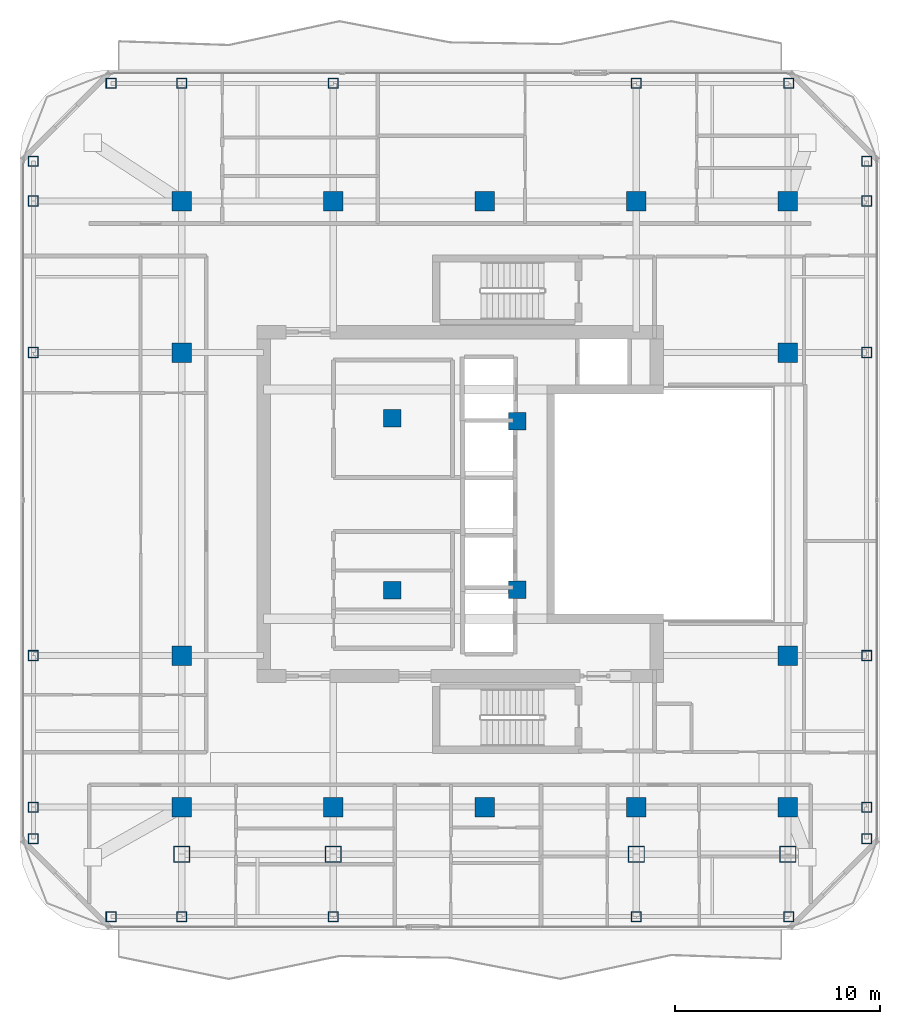
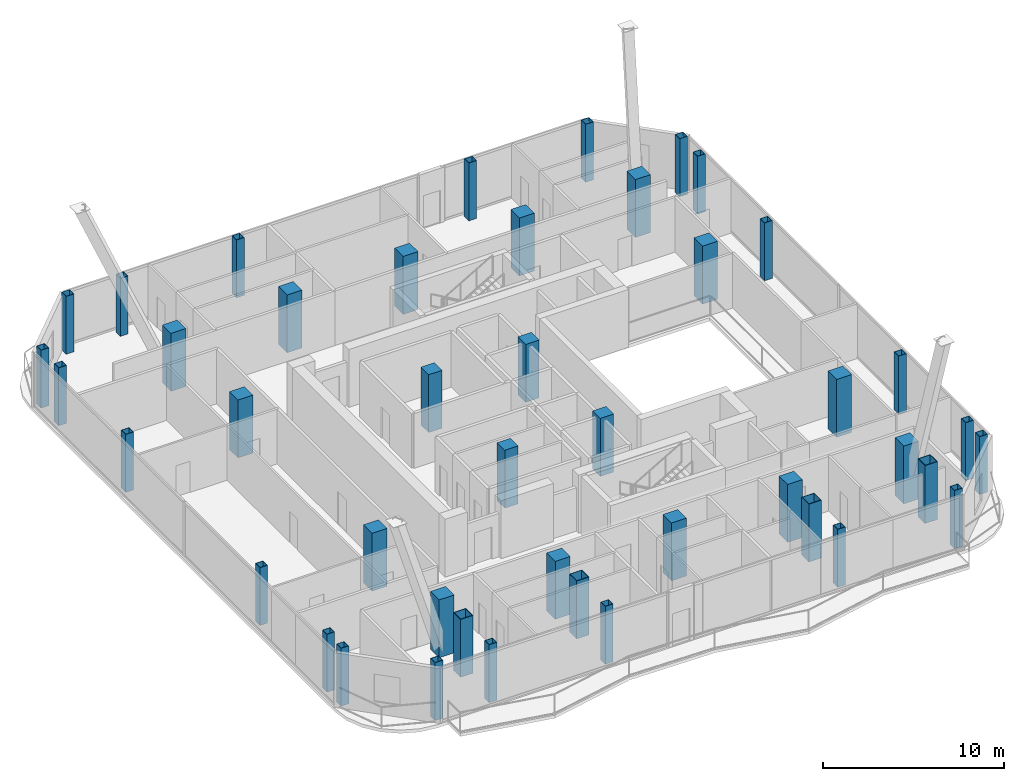
# One storey, part 1 of 24: 44 columns.
"""IFC4 building model written with IfcOpenShell, lengths in metres."""

from ifc_helpers import new_model, si_unit, direction, frame, origin, origin_2d, place, context, subcontext, project, spatial, rectangle, hollow_rectangle, extrude, material, material_profile, profile_set, type_object, element, save


model = new_model("IFC4")

# Units and contexts
model_context = context("Model", 3, precision=1e-05, world=origin(), true_north=direction((0.0, 1.0)))
body_context = subcontext(model_context, "Body", "Model", "MODEL_VIEW")
ifc_project = project(units=[si_unit("LENGTHUNIT", "METRE"), si_unit("AREAUNIT", "SQUARE_METRE"), si_unit("VOLUMEUNIT", "CUBIC_METRE"), si_unit("PLANEANGLEUNIT", "RADIAN"), si_unit("MASSUNIT", "GRAM", prefix="KILO")], contexts=[model_context])

# Site, building, storey
site_placement = place(None, origin())
site = spatial("IfcSite", under=ifc_project, at=site_placement, CompositionType="ELEMENT")
building_placement = place(site_placement, origin())
building = spatial("IfcBuilding", under=site, at=building_placement, Name="Khorvyn Point Tower", CompositionType="ELEMENT")
storey_placement = place(building_placement, frame((0.0, 0.0, 301.5)))
storey = spatial("IfcBuildingStorey", under=building, at=storey_placement, Name="L74", CompositionType="ELEMENT", Elevation=301.5)

# Columns
ifc_material_1 = material(Name="Concrete C40/50", Category="concrete")
ifc_material_profile_1 = material_profile(ifc_material_1, rectangle(XDim=0.85009765625, YDim=0.85009765625, at=origin_2d()))
ifc_profile_set_1 = profile_set([ifc_material_profile_1], Name="Concrete C40/50 RC850x850")
column_type_1 = type_object("IfcColumnType", Name="Concrete C40/50 Column RC850x850", PredefinedType="COLUMN", material=ifc_profile_set_1)
for number, where, z_axis, x_axis, name in (
    (1, (-4.52001953125, -4.199951171875, 0.0), (0.0, 0.0, 1.0), (1.0, 0.0, 0.0), "L74 Crown Core Spine Column 1"),
    (2, (1.580078125, -4.179931640625, 0.0), (0.0, 0.0, 1.0), (1.0, 0.0, 0.0), "L74 Crown Core Spine Column 2"),
    (3, (1.580078125, 4.050048828125, 0.0), (0.0, 0.0, 1.0), (1.0, 0.0, 0.0), "L74 Crown Core Spine Column 3"),
    (4, (-4.52001953125, 4.199951171875, 0.0), (0.0, 0.0, 1.0), (1.0, 0.0, 0.0), "L74 Crown Core Spine Column 4"),
):
    element("IfcColumn", number, at=place(storey_placement, frame(where, z_axis=z_axis, x_axis=x_axis)), inside=storey, type_object=column_type_1, Name=name, PredefinedType="COLUMN", context=body_context, shape_type="SweptSolid", body=[
        extrude(rectangle(XDim=0.85009765625, YDim=0.85009765625, at=origin_2d()), origin(), (0.0, 0.0, 1.0), 3.89990234375),
    ])
ifc_material_profile_2 = material_profile(ifc_material_1, rectangle(XDim=0.949951171875, YDim=0.949951171875, at=origin_2d()))
ifc_profile_set_2 = profile_set([ifc_material_profile_2], Name="Concrete C40/50 RC950x950")
column_type_2 = type_object("IfcColumnType", Name="Concrete C40/50 Column RC950x950", PredefinedType="COLUMN", material=ifc_profile_set_2)
for number, where, z_axis, x_axis, name in (
    (5, (-14.800048828125, -14.800048828125, 0.0), (0.0, 0.0, 1.0), (1.0, 0.0, 0.0), "L74 Mega-Column MC-01"),
    (6, (-7.39990234375, -14.800048828125, 0.0), (0.0, 0.0, 1.0), (1.0, 0.0, 0.0), "L74 Mega-Column MC-02"),
    (7, (0.0, -14.800048828125, 0.0), (0.0, 0.0, 1.0), (1.0, 0.0, 0.0), "L74 Mega-Column MC-03"),
    (8, (7.39990234375, -14.800048828125, 0.0), (0.0, 0.0, 1.0), (1.0, 0.0, 0.0), "L74 Mega-Column MC-04"),
    (9, (14.800048828125, -14.800048828125, 0.0), (0.0, 0.0, 1.0), (1.0, 0.0, 0.0), "L74 Mega-Column MC-05"),
    (10, (-14.800048828125, 14.800048828125, 0.0), (0.0, 0.0, 1.0), (1.0, 0.0, 0.0), "L74 Mega-Column MC-06"),
    (11, (-7.39990234375, 14.800048828125, 0.0), (0.0, 0.0, 1.0), (1.0, 0.0, 0.0), "L74 Mega-Column MC-07"),
    (12, (0.0, 14.800048828125, 0.0), (0.0, 0.0, 1.0), (1.0, 0.0, 0.0), "L74 Mega-Column MC-08"),
    (13, (7.39990234375, 14.800048828125, 0.0), (0.0, 0.0, 1.0), (1.0, 0.0, 0.0), "L74 Mega-Column MC-09"),
    (14, (14.800048828125, 14.800048828125, 0.0), (0.0, 0.0, 1.0), (1.0, 0.0, 0.0), "L74 Mega-Column MC-10"),
    (15, (-14.800048828125, -7.39990234375, 0.0), (0.0, 0.0, 1.0), (1.0, 0.0, 0.0), "L74 Mega-Column MC-11"),
    (16, (-14.800048828125, 7.39990234375, 0.0), (0.0, 0.0, 1.0), (1.0, 0.0, 0.0), "L74 Mega-Column MC-12"),
    (17, (14.800048828125, -7.39990234375, 0.0), (0.0, 0.0, 1.0), (1.0, 0.0, 0.0), "L74 Mega-Column MC-13"),
    (18, (14.800048828125, 7.39990234375, 0.0), (0.0, 0.0, 1.0), (1.0, 0.0, 0.0), "L74 Mega-Column MC-14"),
):
    element("IfcColumn", number, at=place(storey_placement, frame(where, z_axis=z_axis, x_axis=x_axis)), inside=storey, type_object=column_type_2, Name=name, PredefinedType="COLUMN", context=body_context, shape_type="SweptSolid", body=[
        extrude(rectangle(XDim=0.949951171875, YDim=0.949951171875, at=origin_2d()), origin(), (0.0, 0.0, 1.0), 3.89990234375),
    ])
ifc_material_2 = material(Name="Steel S355", Category="steel")
ifc_material_profile_3 = material_profile(ifc_material_2, hollow_rectangle(XDim=0.5, YDim=0.5, WallThickness=0.02490234375, at=origin_2d()))
ifc_profile_set_3 = profile_set([ifc_material_profile_3], Name="Steel S355 BOX500x500x25")
column_type_3 = type_object("IfcColumnType", Name="Steel S355 Structural Column BOX500x500x25", PredefinedType="COLUMN", material=ifc_profile_set_3)
for number, where, z_axis, x_axis, name in (
    (19, (-18.25, -20.14990234375, 0.0), (0.0, 0.0, 1.0), (1.0, 0.0, 0.0), "L74 Perimeter Tube Column TC-01"),
    (20, (14.85009765625, -20.14990234375, 0.0), (0.0, 0.0, 1.0), (1.0, 0.0, 0.0), "L74 Perimeter Tube Column TC-02"),
    (21, (-18.25, 20.550048828125, 0.0), (0.0, 0.0, 1.0), (1.0, 0.0, 0.0), "L74 Perimeter Tube Column TC-03"),
    (22, (14.85009765625, 20.550048828125, 0.0), (0.0, 0.0, 1.0), (1.0, 0.0, 0.0), "L74 Perimeter Tube Column TC-04"),
    (23, (-22.050048828125, -16.35009765625, 0.0), (0.0, 0.0, 1.0), (1.0, 0.0, 0.0), "L74 Perimeter Tube Column TC-05"),
    (24, (-22.050048828125, 16.75, 0.0), (0.0, 0.0, 1.0), (1.0, 0.0, 0.0), "L74 Perimeter Tube Column TC-06"),
    (25, (18.64990234375, -16.35009765625, 0.0), (0.0, 0.0, 1.0), (1.0, 0.0, 0.0), "L74 Perimeter Tube Column TC-07"),
    (26, (18.64990234375, 16.75, 0.0), (0.0, 0.0, 1.0), (1.0, 0.0, 0.0), "L74 Perimeter Tube Column TC-08"),
    (27, (-14.800048828125, -20.14990234375, 0.0), (0.0, 0.0, 1.0), (1.0, 0.0, 0.0), "L74 Perimeter Tube Column TC-09"),
    (28, (-14.800048828125, 20.550048828125, 0.0), (0.0, 0.0, 1.0), (1.0, 0.0, 0.0), "L74 Perimeter Tube Column TC-10"),
    (29, (-7.39990234375, -20.14990234375, 0.0), (0.0, 0.0, 1.0), (1.0, 0.0, 0.0), "L74 Perimeter Tube Column TC-11"),
    (30, (-7.39990234375, 20.550048828125, 0.0), (0.0, 0.0, 1.0), (1.0, 0.0, 0.0), "L74 Perimeter Tube Column TC-12"),
    (31, (7.39990234375, -20.14990234375, 0.0), (0.0, 0.0, 1.0), (1.0, 0.0, 0.0), "L74 Perimeter Tube Column TC-13"),
    (32, (7.39990234375, 20.550048828125, 0.0), (0.0, 0.0, 1.0), (1.0, 0.0, 0.0), "L74 Perimeter Tube Column TC-14"),
    (33, (-22.050048828125, -14.800048828125, 0.0), (0.0, 0.0, 1.0), (1.0, 0.0, 0.0), "L74 Perimeter Tube Column TC-15"),
    (34, (18.64990234375, -14.800048828125, 0.0), (0.0, 0.0, 1.0), (1.0, 0.0, 0.0), "L74 Perimeter Tube Column TC-16"),
    (35, (-22.050048828125, -7.39990234375, 0.0), (0.0, 0.0, 1.0), (1.0, 0.0, 0.0), "L74 Perimeter Tube Column TC-17"),
    (36, (18.64990234375, -7.39990234375, 0.0), (0.0, 0.0, 1.0), (1.0, 0.0, 0.0), "L74 Perimeter Tube Column TC-18"),
    (37, (-22.050048828125, 7.39990234375, 0.0), (0.0, 0.0, 1.0), (1.0, 0.0, 0.0), "L74 Perimeter Tube Column TC-19"),
    (38, (18.64990234375, 7.39990234375, 0.0), (0.0, 0.0, 1.0), (1.0, 0.0, 0.0), "L74 Perimeter Tube Column TC-20"),
    (39, (-22.050048828125, 14.800048828125, 0.0), (0.0, 0.0, 1.0), (1.0, 0.0, 0.0), "L74 Perimeter Tube Column TC-21"),
    (40, (18.64990234375, 14.800048828125, 0.0), (0.0, 0.0, 1.0), (1.0, 0.0, 0.0), "L74 Perimeter Tube Column TC-22"),
):
    element("IfcColumn", number, at=place(storey_placement, frame(where, z_axis=z_axis, x_axis=x_axis)), inside=storey, type_object=column_type_3, Name=name, PredefinedType="COLUMN", context=body_context, shape_type="SweptSolid", body=[
        extrude(hollow_rectangle(XDim=0.5, YDim=0.5, WallThickness=0.02490234375, at=origin_2d()), origin(), (0.0, 0.0, 1.0), 3.89990234375),
    ])
ifc_material_3 = material(Name="Steel S450", Category="steel")
ifc_material_profile_4 = material_profile(ifc_material_3, hollow_rectangle(XDim=0.800048828125, YDim=0.800048828125, WallThickness=0.035888671875, at=origin_2d()))
ifc_profile_set_4 = profile_set([ifc_material_profile_4], Name="Steel S450 BOX800x800x36")
column_type_4 = type_object("IfcColumnType", Name="Steel S450 Structural Column BOX800x800x36", PredefinedType="COLUMN", material=ifc_profile_set_4)
for number, where, z_axis, x_axis, name in (
    (41, (-14.800048828125, -17.10009765625, 0.0), (0.0, 0.0, 1.0), (1.0, 0.0, 0.0), "L74 Intermediate Column ICS--14"),
    (42, (-7.39990234375, -17.10009765625, 0.0), (0.0, 0.0, 1.0), (1.0, 0.0, 0.0), "L74 Intermediate Column ICS--7"),
    (43, (7.39990234375, -17.10009765625, 0.0), (0.0, 0.0, 1.0), (1.0, 0.0, 0.0), "L74 Intermediate Column ICS-7"),
    (44, (14.800048828125, -17.10009765625, 0.0), (0.0, 0.0, 1.0), (1.0, 0.0, 0.0), "L74 Intermediate Column ICS-14"),
):
    element("IfcColumn", number, at=place(storey_placement, frame(where, z_axis=z_axis, x_axis=x_axis)), inside=storey, type_object=column_type_4, Name=name, PredefinedType="COLUMN", context=body_context, shape_type="SweptSolid", body=[
        extrude(hollow_rectangle(XDim=0.800048828125, YDim=0.800048828125, WallThickness=0.035888671875, at=origin_2d()), origin(), (0.0, 0.0, 1.0), 3.89990234375),
    ])

save(model, "model.ifc")
